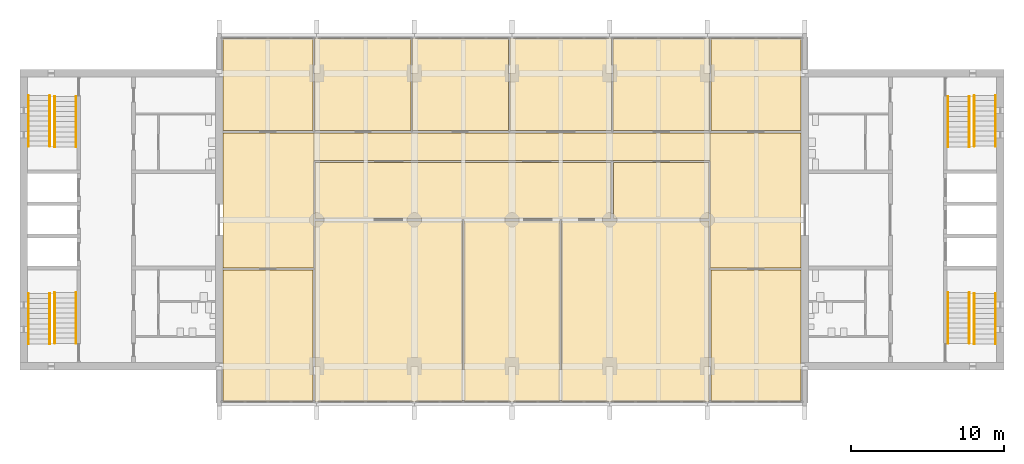
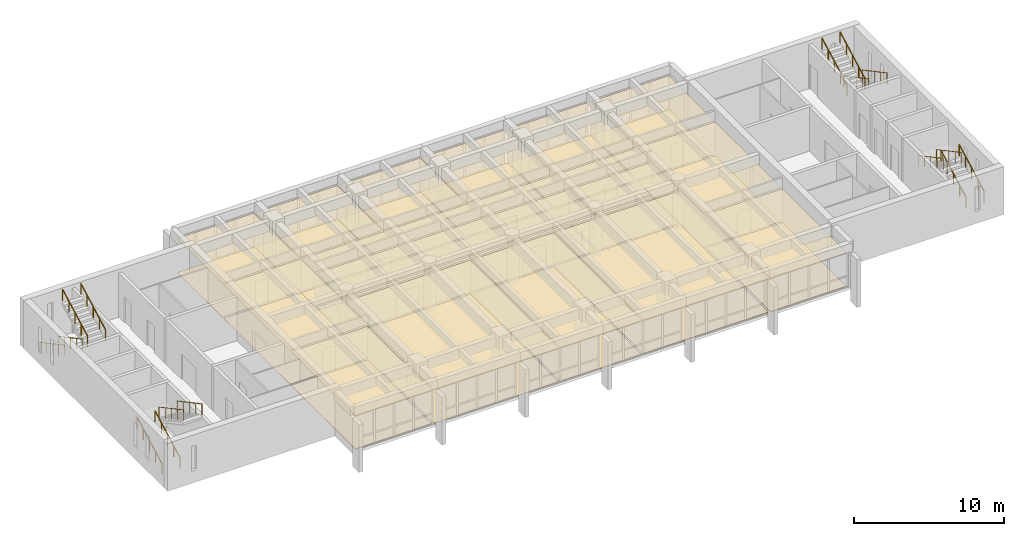
# One storey, part 14 of 15: 32 coverings, 16 railings.
"""IFC4 building model written with IfcOpenShell, lengths in metres."""

from ifc_helpers import new_model, si_unit, direction, frame, origin, origin_2d, place, context, subcontext, project, spatial, polyline, circle, outline, extrude, material, layer, layer_set, type_object, element, save


model = new_model("IFC4")

# Units and contexts
model_context = context("Model", 3, precision=1e-05, world=origin(), true_north=direction((0.0, 1.0)))
body_context = subcontext(model_context, "Body", "Model", "MODEL_VIEW")
ifc_project = project(units=[si_unit("LENGTHUNIT", "METRE"), si_unit("AREAUNIT", "SQUARE_METRE"), si_unit("VOLUMEUNIT", "CUBIC_METRE"), si_unit("PLANEANGLEUNIT", "RADIAN"), si_unit("MASSUNIT", "GRAM", prefix="KILO")], contexts=[model_context])

# Site, building, storey
site_placement = place(None, origin())
site = spatial("IfcSite", under=ifc_project, at=site_placement, CompositionType="ELEMENT")
building_placement = place(site_placement, origin())
building = spatial("IfcBuilding", under=site, at=building_placement, Name="Fogon Plaza Fire Station and Headquarters Tower", CompositionType="ELEMENT")
storey_placement = place(building_placement, frame((0.0, 0.0, 40.5)))
storey = spatial("IfcBuildingStorey", under=building, at=storey_placement, Name="L10", CompositionType="ELEMENT", Elevation=40.5)

# Railings
ifc_material_1 = material(Name="Steel", Category="steel")
railing_type = type_object("IfcRailingType", Name="Stair Handrail 900", PredefinedType="HANDRAIL", material=ifc_material_1)
for number, where, name in (
    (1, (13.10009765625, 35.06005859375, 0.17724609375), "Handrail ST1"),
    (2, (14.5, 35.06005859375, 0.17724609375), "Handrail ST1"),
):
    element("IfcRailing", number, at=place(storey_placement, frame(where)), inside=storey, type_object=railing_type, Name=name, PredefinedType="HANDRAIL", context=body_context, shape_type="SweptSolid", body=[
        extrude(circle(Radius=0.02392578125, at=origin_2d()), frame((0.0, 0.0, 0.8759765625), z_axis=(0.0, 0.881829236777, 0.471568867892), x_axis=(-1.0, 0.0, 0.0)), (0.0, 0.0, 1.0), 3.75927734375),
        extrude(circle(Radius=0.02099609375, at=origin_2d()), origin(), (0.0, 0.0, 1.0), 0.851806640625),
        extrude(circle(Radius=0.02099609375, at=origin_2d()), frame((0.0, 0.82861328125, 0.443115234375)), (0.0, 0.0, 1.0), 0.851806640625),
        extrude(circle(Radius=0.02099609375, at=origin_2d()), frame((0.0, 1.657470703125, 0.88623046875)), (0.0, 0.0, 1.0), 0.851806640625),
        extrude(circle(Radius=0.02099609375, at=origin_2d()), frame((0.0, 2.486328125, 1.32958984375)), (0.0, 0.0, 1.0), 0.851806640625),
        extrude(circle(Radius=0.02099609375, at=origin_2d()), frame((0.0, 3.31494140625, 1.772705078125)), (0.0, 0.0, 1.0), 0.851806640625),
    ])
for number, where, name in (
    (3, (16.22509765625, 38.425048828125, 2.127197265625), "Handrail ST1"),
    (4, (14.824951171875, 38.425048828125, 2.127197265625), "Handrail ST1"),
):
    element("IfcRailing", number, at=place(storey_placement, frame(where)), inside=storey, type_object=railing_type, Name=name, PredefinedType="HANDRAIL", context=body_context, shape_type="SweptSolid", body=[
        extrude(circle(Radius=0.02392578125, at=origin_2d()), frame((0.0, 0.0, 0.8759765625), z_axis=(0.0, -0.881829236777, 0.471568867892), x_axis=(1.0, 0.0, 0.0)), (0.0, 0.0, 1.0), 3.75927734375),
        extrude(circle(Radius=0.02099609375, at=origin_2d()), origin(), (0.0, 0.0, 1.0), 0.851806640625),
        extrude(circle(Radius=0.02099609375, at=origin_2d()), frame((0.0, -0.82861328125, 0.443115234375)), (0.0, 0.0, 1.0), 0.851806640625),
        extrude(circle(Radius=0.02099609375, at=origin_2d()), frame((0.0, -1.657470703125, 0.88623046875)), (0.0, 0.0, 1.0), 0.851806640625),
        extrude(circle(Radius=0.02099609375, at=origin_2d()), frame((0.0, -2.486328125, 1.32958984375)), (0.0, 0.0, 1.0), 0.851806640625),
        extrude(circle(Radius=0.02099609375, at=origin_2d()), frame((0.0, -3.31494140625, 1.772705078125)), (0.0, 0.0, 1.0), 0.851806640625),
    ])
for number, where, name in (
    (5, (13.10009765625, 51.340087890625, 0.17724609375), "Handrail ST2"),
    (6, (14.5, 51.340087890625, 0.17724609375), "Handrail ST2"),
):
    element("IfcRailing", number, at=place(storey_placement, frame(where)), inside=storey, type_object=railing_type, Name=name, PredefinedType="HANDRAIL", context=body_context, shape_type="SweptSolid", body=[
        extrude(circle(Radius=0.02392578125, at=origin_2d()), frame((0.0, 0.0, 0.8759765625), z_axis=(0.0, -0.881843677922, 0.471541862095), x_axis=(1.0, 0.0, 0.0)), (0.0, 0.0, 1.0), 3.75927734375),
        extrude(circle(Radius=0.02099609375, at=origin_2d()), origin(), (0.0, 0.0, 1.0), 0.851806640625),
        extrude(circle(Radius=0.02099609375, at=origin_2d()), frame((0.0, -0.828857421875, 0.443115234375)), (0.0, 0.0, 1.0), 0.851806640625),
        extrude(circle(Radius=0.02099609375, at=origin_2d()), frame((0.0, -1.65771484375, 0.88623046875)), (0.0, 0.0, 1.0), 0.851806640625),
        extrude(circle(Radius=0.02099609375, at=origin_2d()), frame((0.0, -2.486328125, 1.32958984375)), (0.0, 0.0, 1.0), 0.851806640625),
        extrude(circle(Radius=0.02099609375, at=origin_2d()), frame((0.0, -3.315185546875, 1.772705078125)), (0.0, 0.0, 1.0), 0.851806640625),
    ])
for number, where, name in (
    (7, (16.22509765625, 47.97509765625, 2.127197265625), "Handrail ST2"),
    (8, (14.824951171875, 47.97509765625, 2.127197265625), "Handrail ST2"),
    (9, (76.5, 35.06005859375, 0.17724609375), "Handrail ST3"),
    (10, (75.10009765625, 35.06005859375, 0.17724609375), "Handrail ST3"),
):
    element("IfcRailing", number, at=place(storey_placement, frame(where)), inside=storey, type_object=railing_type, Name=name, PredefinedType="HANDRAIL", context=body_context, shape_type="SweptSolid", body=[
        extrude(circle(Radius=0.02392578125, at=origin_2d()), frame((0.0, 0.0, 0.8759765625), z_axis=(0.0, 0.881829236777, 0.471568867892), x_axis=(-1.0, 0.0, 0.0)), (0.0, 0.0, 1.0), 3.75927734375),
        extrude(circle(Radius=0.02099609375, at=origin_2d()), origin(), (0.0, 0.0, 1.0), 0.851806640625),
        extrude(circle(Radius=0.02099609375, at=origin_2d()), frame((0.0, 0.82861328125, 0.443115234375)), (0.0, 0.0, 1.0), 0.851806640625),
        extrude(circle(Radius=0.02099609375, at=origin_2d()), frame((0.0, 1.657470703125, 0.88623046875)), (0.0, 0.0, 1.0), 0.851806640625),
        extrude(circle(Radius=0.02099609375, at=origin_2d()), frame((0.0, 2.486328125, 1.32958984375)), (0.0, 0.0, 1.0), 0.851806640625),
        extrude(circle(Radius=0.02099609375, at=origin_2d()), frame((0.0, 3.31494140625, 1.772705078125)), (0.0, 0.0, 1.0), 0.851806640625),
    ])
for number, where, name in (
    (11, (73.375, 38.425048828125, 2.127197265625), "Handrail ST3"),
    (12, (74.77490234375, 38.425048828125, 2.127197265625), "Handrail ST3"),
):
    element("IfcRailing", number, at=place(storey_placement, frame(where)), inside=storey, type_object=railing_type, Name=name, PredefinedType="HANDRAIL", context=body_context, shape_type="SweptSolid", body=[
        extrude(circle(Radius=0.02392578125, at=origin_2d()), frame((0.0, 0.0, 0.8759765625), z_axis=(0.0, -0.881829236777, 0.471568867892), x_axis=(1.0, 0.0, 0.0)), (0.0, 0.0, 1.0), 3.75927734375),
        extrude(circle(Radius=0.02099609375, at=origin_2d()), origin(), (0.0, 0.0, 1.0), 0.851806640625),
        extrude(circle(Radius=0.02099609375, at=origin_2d()), frame((0.0, -0.82861328125, 0.443115234375)), (0.0, 0.0, 1.0), 0.851806640625),
        extrude(circle(Radius=0.02099609375, at=origin_2d()), frame((0.0, -1.657470703125, 0.88623046875)), (0.0, 0.0, 1.0), 0.851806640625),
        extrude(circle(Radius=0.02099609375, at=origin_2d()), frame((0.0, -2.486328125, 1.32958984375)), (0.0, 0.0, 1.0), 0.851806640625),
        extrude(circle(Radius=0.02099609375, at=origin_2d()), frame((0.0, -3.31494140625, 1.772705078125)), (0.0, 0.0, 1.0), 0.851806640625),
    ])
for number, where, name in (
    (13, (76.5, 51.340087890625, 0.17724609375), "Handrail ST4"),
    (14, (75.10009765625, 51.340087890625, 0.17724609375), "Handrail ST4"),
):
    element("IfcRailing", number, at=place(storey_placement, frame(where)), inside=storey, type_object=railing_type, Name=name, PredefinedType="HANDRAIL", context=body_context, shape_type="SweptSolid", body=[
        extrude(circle(Radius=0.02392578125, at=origin_2d()), frame((0.0, 0.0, 0.8759765625), z_axis=(0.0, -0.881843677922, 0.471541862095), x_axis=(1.0, 0.0, 0.0)), (0.0, 0.0, 1.0), 3.75927734375),
        extrude(circle(Radius=0.02099609375, at=origin_2d()), origin(), (0.0, 0.0, 1.0), 0.851806640625),
        extrude(circle(Radius=0.02099609375, at=origin_2d()), frame((0.0, -0.828857421875, 0.443115234375)), (0.0, 0.0, 1.0), 0.851806640625),
        extrude(circle(Radius=0.02099609375, at=origin_2d()), frame((0.0, -1.65771484375, 0.88623046875)), (0.0, 0.0, 1.0), 0.851806640625),
        extrude(circle(Radius=0.02099609375, at=origin_2d()), frame((0.0, -2.486328125, 1.32958984375)), (0.0, 0.0, 1.0), 0.851806640625),
        extrude(circle(Radius=0.02099609375, at=origin_2d()), frame((0.0, -3.315185546875, 1.772705078125)), (0.0, 0.0, 1.0), 0.851806640625),
    ])
for number, where, name in (
    (15, (73.375, 47.97509765625, 2.127197265625), "Handrail ST4"),
    (16, (74.77490234375, 47.97509765625, 2.127197265625), "Handrail ST4"),
):
    element("IfcRailing", number, at=place(storey_placement, frame(where)), inside=storey, type_object=railing_type, Name=name, PredefinedType="HANDRAIL", context=body_context, shape_type="SweptSolid", body=[
        extrude(circle(Radius=0.02392578125, at=origin_2d()), frame((0.0, 0.0, 0.8759765625), z_axis=(0.0, 0.881829236777, 0.471568867892), x_axis=(-1.0, 0.0, 0.0)), (0.0, 0.0, 1.0), 3.75927734375),
        extrude(circle(Radius=0.02099609375, at=origin_2d()), origin(), (0.0, 0.0, 1.0), 0.851806640625),
        extrude(circle(Radius=0.02099609375, at=origin_2d()), frame((0.0, 0.82861328125, 0.443115234375)), (0.0, 0.0, 1.0), 0.851806640625),
        extrude(circle(Radius=0.02099609375, at=origin_2d()), frame((0.0, 1.657470703125, 0.88623046875)), (0.0, 0.0, 1.0), 0.851806640625),
        extrude(circle(Radius=0.02099609375, at=origin_2d()), frame((0.0, 2.486328125, 1.32958984375)), (0.0, 0.0, 1.0), 0.851806640625),
        extrude(circle(Radius=0.02099609375, at=origin_2d()), frame((0.0, 3.31494140625, 1.772705078125)), (0.0, 0.0, 1.0), 0.851806640625),
    ])

# Coverings
ifc_material_2 = material(Name="Acoustic ceiling tile")
ifc_layer_1 = layer(ifc_material_2, 0.050048828125)
ifc_layer_set_1 = layer_set([ifc_layer_1], Name="Acoustic ceiling tile")
covering_type_1 = type_object("IfcCoveringType", Name="Tower acoustic ceiling", PredefinedType="CEILING", material=ifc_layer_set_1)
covering_1_placement = place(storey_placement, frame((0.0, 0.0, 2.72998046875)))
element("IfcCovering", 17, at=covering_1_placement, inside=storey, type_object=covering_type_1, Name="cov-cl-L10-05", PredefinedType="CEILING", context=body_context, shape_type="SweptSolid", body=[
    extrude(outline(polyline([(57.705078125, 43.27490234375), (57.705078125, 46.949951171875), (51.455078125, 46.949951171875), (51.455078125, 43.27490234375), (57.705078125, 43.27490234375)])), origin(), (0.0, 0.0, 1.0), 0.050048828125),
])
covering_2_placement = place(storey_placement, frame((0.0, 0.0, 2.72998046875)))
element("IfcCovering", 18, at=covering_2_placement, inside=storey, type_object=covering_type_1, Name="cov-cl-L10-08", PredefinedType="CEILING", context=body_context, shape_type="SweptSolid", body=[
    extrude(outline(polyline([(44.58251953125, 49.050048828125), (44.58251953125, 55.10009765625), (38.257568359375, 55.10009765625), (38.257568359375, 49.050048828125), (44.58251953125, 49.050048828125)])), origin(), (0.0, 0.0, 1.0), 0.050048828125),
])
ifc_material_3 = material(Name="Carpet tile")
ifc_layer_2 = layer(ifc_material_3, 0.011962890625)
ifc_layer_set_2 = layer_set([ifc_layer_2], Name="Carpet tile")
covering_type_2 = type_object("IfcCoveringType", Name="Tower carpet tile floor", PredefinedType="FLOORING", material=ifc_layer_set_2)
covering_3_placement = place(storey_placement, origin())
element("IfcCovering", 19, at=covering_3_placement, inside=storey, type_object=covering_type_2, Name="cov-fl-L10-01", PredefinedType="FLOORING", context=body_context, shape_type="SweptSolid", body=[
    extrude(outline(polyline([(41.550048828125, 31.300048828125), (41.550048828125, 43.125), (31.89501953125, 43.125), (31.89501953125, 31.300048828125), (41.550048828125, 31.300048828125)])), origin(), (0.0, 0.0, 1.0), 0.011962890625),
])
covering_4_placement = place(storey_placement, origin())
element("IfcCovering", 20, at=covering_4_placement, inside=storey, type_object=covering_type_2, Name="cov-fl-L10-02", PredefinedType="FLOORING", context=body_context, shape_type="SweptSolid", body=[
    extrude(outline(polyline([(47.949951171875, 31.300048828125), (47.949951171875, 43.125), (41.64990234375, 43.125), (41.64990234375, 31.300048828125), (47.949951171875, 31.300048828125)])), origin(), (0.0, 0.0, 1.0), 0.011962890625),
])
covering_5_placement = place(storey_placement, origin())
element("IfcCovering", 21, at=covering_5_placement, inside=storey, type_object=covering_type_2, Name="cov-fl-L10-05", PredefinedType="FLOORING", context=body_context, shape_type="SweptSolid", body=[
    extrude(outline(polyline([(57.705078125, 43.27490234375), (57.705078125, 46.949951171875), (51.455078125, 46.949951171875), (51.455078125, 43.27490234375), (57.705078125, 43.27490234375)])), origin(), (0.0, 0.0, 1.0), 0.011962890625),
])
covering_6_placement = place(storey_placement, origin())
element("IfcCovering", 22, at=covering_6_placement, inside=storey, type_object=covering_type_2, Name="cov-fl-L10-06", PredefinedType="FLOORING", context=body_context, shape_type="SweptSolid", body=[
    extrude(outline(polyline([(31.77001953125, 49.050048828125), (31.77001953125, 55.10009765625), (25.85009765625, 55.10009765625), (25.85009765625, 49.050048828125), (31.77001953125, 49.050048828125)])), origin(), (0.0, 0.0, 1.0), 0.011962890625),
])
covering_7_placement = place(storey_placement, origin())
element("IfcCovering", 23, at=covering_7_placement, inside=storey, type_object=covering_type_2, Name="cov-fl-L10-07", PredefinedType="FLOORING", context=body_context, shape_type="SweptSolid", body=[
    extrude(outline(polyline([(38.1826171875, 49.050048828125), (38.1826171875, 55.10009765625), (31.8701171875, 55.10009765625), (31.8701171875, 49.050048828125), (38.1826171875, 49.050048828125)])), origin(), (0.0, 0.0, 1.0), 0.011962890625),
])
covering_8_placement = place(storey_placement, origin())
element("IfcCovering", 24, at=covering_8_placement, inside=storey, type_object=covering_type_2, Name="cov-fl-L10-08", PredefinedType="FLOORING", context=body_context, shape_type="SweptSolid", body=[
    extrude(outline(polyline([(44.58251953125, 49.050048828125), (44.58251953125, 55.10009765625), (38.257568359375, 55.10009765625), (38.257568359375, 49.050048828125), (44.58251953125, 49.050048828125)])), origin(), (0.0, 0.0, 1.0), 0.011962890625),
])
covering_9_placement = place(storey_placement, origin())
element("IfcCovering", 25, at=covering_9_placement, inside=storey, type_object=covering_type_2, Name="cov-fl-L10-09", PredefinedType="FLOORING", context=body_context, shape_type="SweptSolid", body=[
    extrude(outline(polyline([(51.330078125, 49.050048828125), (51.330078125, 55.10009765625), (44.657470703125, 55.10009765625), (44.657470703125, 49.050048828125), (51.330078125, 49.050048828125)])), origin(), (0.0, 0.0, 1.0), 0.011962890625),
])
covering_10_placement = place(storey_placement, origin())
element("IfcCovering", 26, at=covering_10_placement, inside=storey, type_object=covering_type_2, Name="cov-fl-L10-10", PredefinedType="FLOORING", context=body_context, shape_type="SweptSolid", body=[
    extrude(outline(polyline([(57.72998046875, 49.050048828125), (57.72998046875, 55.10009765625), (51.429931640625, 55.10009765625), (51.429931640625, 49.050048828125), (57.72998046875, 49.050048828125)])), origin(), (0.0, 0.0, 1.0), 0.011962890625),
])
covering_11_placement = place(storey_placement, origin())
element("IfcCovering", 27, at=covering_11_placement, inside=storey, type_object=covering_type_2, Name="cov-fl-L10-11", PredefinedType="FLOORING", context=body_context, shape_type="SweptSolid", body=[
    extrude(outline(polyline([(63.75, 49.050048828125), (63.75, 55.10009765625), (57.830078125, 55.10009765625), (57.830078125, 49.050048828125), (63.75, 49.050048828125)])), origin(), (0.0, 0.0, 1.0), 0.011962890625),
])
ifc_material_4 = material(Name="Heavy duty carpet tile")
ifc_layer_3 = layer(ifc_material_4, 0.013916015625)
ifc_layer_set_3 = layer_set([ifc_layer_3], Name="Heavy duty carpet tile")
covering_type_3 = type_object("IfcCoveringType", Name="Tower corridor carpet floor", PredefinedType="FLOORING", material=ifc_layer_set_3)
covering_12_placement = place(storey_placement, origin())
element("IfcCovering", 28, at=covering_12_placement, inside=storey, type_object=covering_type_3, Name="cov-fl-L10-04", PredefinedType="FLOORING", context=body_context, shape_type="SweptSolid", body=[
    extrude(outline(polyline([(51.304931640625, 43.27490234375), (51.304931640625, 46.949951171875), (31.89501953125, 46.949951171875), (31.89501953125, 43.27490234375), (51.304931640625, 43.27490234375)])), origin(), (0.0, 0.0, 1.0), 0.013916015625),
])
covering_13_placement = place(storey_placement, origin())
element("IfcCovering", 29, at=covering_13_placement, inside=storey, type_object=covering_type_3, Name="cov-fl-L10-14", PredefinedType="FLOORING", context=body_context, shape_type="SweptSolid", body=[
    extrude(outline(polyline([(57.780029296875, 47.10009765625), (57.780029296875, 48.89990234375), (31.820068359375, 48.89990234375), (31.820068359375, 47.10009765625), (57.780029296875, 47.10009765625)])), origin(), (0.0, 0.0, 1.0), 0.013916015625),
])
covering_14_placement = place(storey_placement, origin())
element("IfcCovering", 30, at=covering_14_placement, inside=storey, type_object=covering_type_3, Name="cov-fl-L10-15", PredefinedType="FLOORING", context=body_context, shape_type="SweptSolid", body=[
    extrude(outline(polyline([(31.820068359375, 40.050048828125), (31.820068359375, 48.89990234375), (25.85009765625, 48.89990234375), (25.85009765625, 40.050048828125), (31.820068359375, 40.050048828125)])), origin(), (0.0, 0.0, 1.0), 0.013916015625),
])
covering_15_placement = place(storey_placement, origin())
element("IfcCovering", 31, at=covering_15_placement, inside=storey, type_object=covering_type_3, Name="cov-fl-L10-16", PredefinedType="FLOORING", context=body_context, shape_type="SweptSolid", body=[
    extrude(outline(polyline([(63.75, 40.050048828125), (63.75, 48.89990234375), (57.780029296875, 48.89990234375), (57.780029296875, 40.050048828125), (63.75, 40.050048828125)])), origin(), (0.0, 0.0, 1.0), 0.013916015625),
])
ifc_material_5 = material(Name="Moisture resistant plasterboard ceiling")
ifc_layer_4 = layer(ifc_material_5, 0.034912109375)
ifc_layer_set_4 = layer_set([ifc_layer_4], Name="Moisture resistant plasterboard ceiling")
covering_type_4 = type_object("IfcCoveringType", Name="Tower moisture resistant ceiling", PredefinedType="CEILING", material=ifc_layer_set_4)
covering_16_placement = place(storey_placement, frame((0.0, 0.0, 2.7451171875)))
element("IfcCovering", 32, at=covering_16_placement, inside=storey, type_object=covering_type_4, Name="cov-cl-L10-12", PredefinedType="CEILING", context=body_context, shape_type="SweptSolid", body=[
    extrude(outline(polyline([(31.7451171875, 31.300048828125), (31.7451171875, 39.89990234375), (25.85009765625, 39.89990234375), (25.85009765625, 31.300048828125), (31.7451171875, 31.300048828125)])), origin(), (0.0, 0.0, 1.0), 0.034912109375),
])
ifc_material_6 = material(Name="Plasterboard ceiling")
ifc_layer_5 = layer(ifc_material_6, 0.030029296875)
ifc_layer_set_5 = layer_set([ifc_layer_5], Name="Plasterboard ceiling")
covering_type_5 = type_object("IfcCoveringType", Name="Tower plasterboard ceiling", PredefinedType="CEILING", material=ifc_layer_set_5)
covering_17_placement = place(storey_placement, frame((0.0, 0.0, 2.75)))
element("IfcCovering", 33, at=covering_17_placement, inside=storey, type_object=covering_type_5, Name="cov-cl-L10-04", PredefinedType="CEILING", context=body_context, shape_type="SweptSolid", body=[
    extrude(outline(polyline([(51.304931640625, 43.27490234375), (51.304931640625, 46.949951171875), (31.89501953125, 46.949951171875), (31.89501953125, 43.27490234375), (51.304931640625, 43.27490234375)])), origin(), (0.0, 0.0, 1.0), 0.030029296875),
])
covering_18_placement = place(storey_placement, frame((0.0, 0.0, 2.75)))
element("IfcCovering", 34, at=covering_18_placement, inside=storey, type_object=covering_type_5, Name="cov-cl-L10-14", PredefinedType="CEILING", context=body_context, shape_type="SweptSolid", body=[
    extrude(outline(polyline([(57.780029296875, 47.10009765625), (57.780029296875, 48.89990234375), (31.820068359375, 48.89990234375), (31.820068359375, 47.10009765625), (57.780029296875, 47.10009765625)])), origin(), (0.0, 0.0, 1.0), 0.030029296875),
])
covering_19_placement = place(storey_placement, frame((0.0, 0.0, 2.75)))
element("IfcCovering", 35, at=covering_19_placement, inside=storey, type_object=covering_type_5, Name="cov-cl-L10-15", PredefinedType="CEILING", context=body_context, shape_type="SweptSolid", body=[
    extrude(outline(polyline([(31.820068359375, 40.050048828125), (31.820068359375, 48.89990234375), (25.85009765625, 48.89990234375), (25.85009765625, 40.050048828125), (31.820068359375, 40.050048828125)])), origin(), (0.0, 0.0, 1.0), 0.030029296875),
])
covering_20_placement = place(storey_placement, frame((0.0, 0.0, 2.75)))
element("IfcCovering", 36, at=covering_20_placement, inside=storey, type_object=covering_type_5, Name="cov-cl-L10-16", PredefinedType="CEILING", context=body_context, shape_type="SweptSolid", body=[
    extrude(outline(polyline([(63.75, 40.050048828125), (63.75, 48.89990234375), (57.780029296875, 48.89990234375), (57.780029296875, 40.050048828125), (63.75, 40.050048828125)])), origin(), (0.0, 0.0, 1.0), 0.030029296875),
])
ifc_material_7 = material(Name="Sealed cement screed")
ifc_layer_6 = layer(ifc_material_7, 0.030029296875)
ifc_layer_set_6 = layer_set([ifc_layer_6], Name="Sealed cement screed")
covering_type_6 = type_object("IfcCoveringType", Name="Tower sealed screed floor", PredefinedType="FLOORING", material=ifc_layer_set_6)
covering_21_placement = place(storey_placement, origin())
element("IfcCovering", 37, at=covering_21_placement, inside=storey, type_object=covering_type_6, Name="cov-fl-L10-03", PredefinedType="FLOORING", context=body_context, shape_type="SweptSolid", body=[
    extrude(outline(polyline([(57.705078125, 31.300048828125), (57.705078125, 43.125), (48.050048828125, 43.125), (48.050048828125, 31.300048828125), (57.705078125, 31.300048828125)])), origin(), (0.0, 0.0, 1.0), 0.030029296875),
])
covering_22_placement = place(storey_placement, origin())
element("IfcCovering", 38, at=covering_22_placement, inside=storey, type_object=covering_type_6, Name="cov-fl-L10-12", PredefinedType="FLOORING", context=body_context, shape_type="SweptSolid", body=[
    extrude(outline(polyline([(31.7451171875, 31.300048828125), (31.7451171875, 39.89990234375), (25.85009765625, 39.89990234375), (25.85009765625, 31.300048828125), (31.7451171875, 31.300048828125)])), origin(), (0.0, 0.0, 1.0), 0.030029296875),
])
covering_23_placement = place(storey_placement, origin())
element("IfcCovering", 39, at=covering_23_placement, inside=storey, type_object=covering_type_6, Name="cov-fl-L10-13", PredefinedType="FLOORING", context=body_context, shape_type="SweptSolid", body=[
    extrude(outline(polyline([(63.75, 31.300048828125), (63.75, 39.89990234375), (57.85498046875, 39.89990234375), (57.85498046875, 31.300048828125), (63.75, 31.300048828125)])), origin(), (0.0, 0.0, 1.0), 0.030029296875),
])
ifc_material_8 = material(Name="Mineral fibre ceiling tile")
ifc_layer_7 = layer(ifc_material_8, 0.0400390625)
ifc_layer_set_7 = layer_set([ifc_layer_7], Name="Mineral fibre ceiling tile")
covering_type_7 = type_object("IfcCoveringType", Name="Tower suspended tile ceiling", PredefinedType="CEILING", material=ifc_layer_set_7)
covering_24_placement = place(storey_placement, frame((0.0, 0.0, 2.739990234375)))
element("IfcCovering", 40, at=covering_24_placement, inside=storey, type_object=covering_type_7, Name="cov-cl-L10-01", PredefinedType="CEILING", context=body_context, shape_type="SweptSolid", body=[
    extrude(outline(polyline([(41.550048828125, 31.300048828125), (41.550048828125, 43.125), (31.89501953125, 43.125), (31.89501953125, 31.300048828125), (41.550048828125, 31.300048828125)])), origin(), (0.0, 0.0, 1.0), 0.0400390625),
])
covering_25_placement = place(storey_placement, frame((0.0, 0.0, 2.739990234375)))
element("IfcCovering", 41, at=covering_25_placement, inside=storey, type_object=covering_type_7, Name="cov-cl-L10-02", PredefinedType="CEILING", context=body_context, shape_type="SweptSolid", body=[
    extrude(outline(polyline([(47.949951171875, 31.300048828125), (47.949951171875, 43.125), (41.64990234375, 43.125), (41.64990234375, 31.300048828125), (47.949951171875, 31.300048828125)])), origin(), (0.0, 0.0, 1.0), 0.0400390625),
])
covering_26_placement = place(storey_placement, frame((0.0, 0.0, 2.739990234375)))
element("IfcCovering", 42, at=covering_26_placement, inside=storey, type_object=covering_type_7, Name="cov-cl-L10-03", PredefinedType="CEILING", context=body_context, shape_type="SweptSolid", body=[
    extrude(outline(polyline([(57.705078125, 31.300048828125), (57.705078125, 43.125), (48.050048828125, 43.125), (48.050048828125, 31.300048828125), (57.705078125, 31.300048828125)])), origin(), (0.0, 0.0, 1.0), 0.0400390625),
])
covering_27_placement = place(storey_placement, frame((0.0, 0.0, 2.739990234375)))
element("IfcCovering", 43, at=covering_27_placement, inside=storey, type_object=covering_type_7, Name="cov-cl-L10-06", PredefinedType="CEILING", context=body_context, shape_type="SweptSolid", body=[
    extrude(outline(polyline([(31.77001953125, 49.050048828125), (31.77001953125, 55.10009765625), (25.85009765625, 55.10009765625), (25.85009765625, 49.050048828125), (31.77001953125, 49.050048828125)])), origin(), (0.0, 0.0, 1.0), 0.0400390625),
])
covering_28_placement = place(storey_placement, frame((0.0, 0.0, 2.739990234375)))
element("IfcCovering", 44, at=covering_28_placement, inside=storey, type_object=covering_type_7, Name="cov-cl-L10-07", PredefinedType="CEILING", context=body_context, shape_type="SweptSolid", body=[
    extrude(outline(polyline([(38.1826171875, 49.050048828125), (38.1826171875, 55.10009765625), (31.8701171875, 55.10009765625), (31.8701171875, 49.050048828125), (38.1826171875, 49.050048828125)])), origin(), (0.0, 0.0, 1.0), 0.0400390625),
])
covering_29_placement = place(storey_placement, frame((0.0, 0.0, 2.739990234375)))
element("IfcCovering", 45, at=covering_29_placement, inside=storey, type_object=covering_type_7, Name="cov-cl-L10-09", PredefinedType="CEILING", context=body_context, shape_type="SweptSolid", body=[
    extrude(outline(polyline([(51.330078125, 49.050048828125), (51.330078125, 55.10009765625), (44.657470703125, 55.10009765625), (44.657470703125, 49.050048828125), (51.330078125, 49.050048828125)])), origin(), (0.0, 0.0, 1.0), 0.0400390625),
])
covering_30_placement = place(storey_placement, frame((0.0, 0.0, 2.739990234375)))
element("IfcCovering", 46, at=covering_30_placement, inside=storey, type_object=covering_type_7, Name="cov-cl-L10-10", PredefinedType="CEILING", context=body_context, shape_type="SweptSolid", body=[
    extrude(outline(polyline([(57.72998046875, 49.050048828125), (57.72998046875, 55.10009765625), (51.429931640625, 55.10009765625), (51.429931640625, 49.050048828125), (57.72998046875, 49.050048828125)])), origin(), (0.0, 0.0, 1.0), 0.0400390625),
])
covering_31_placement = place(storey_placement, frame((0.0, 0.0, 2.739990234375)))
element("IfcCovering", 47, at=covering_31_placement, inside=storey, type_object=covering_type_7, Name="cov-cl-L10-11", PredefinedType="CEILING", context=body_context, shape_type="SweptSolid", body=[
    extrude(outline(polyline([(63.75, 49.050048828125), (63.75, 55.10009765625), (57.830078125, 55.10009765625), (57.830078125, 49.050048828125), (63.75, 49.050048828125)])), origin(), (0.0, 0.0, 1.0), 0.0400390625),
])
covering_32_placement = place(storey_placement, frame((0.0, 0.0, 2.739990234375)))
element("IfcCovering", 48, at=covering_32_placement, inside=storey, type_object=covering_type_7, Name="cov-cl-L10-13", PredefinedType="CEILING", context=body_context, shape_type="SweptSolid", body=[
    extrude(outline(polyline([(63.75, 31.300048828125), (63.75, 39.89990234375), (57.85498046875, 39.89990234375), (57.85498046875, 31.300048828125), (63.75, 31.300048828125)])), origin(), (0.0, 0.0, 1.0), 0.0400390625),
])

save(model, "model.ifc")
